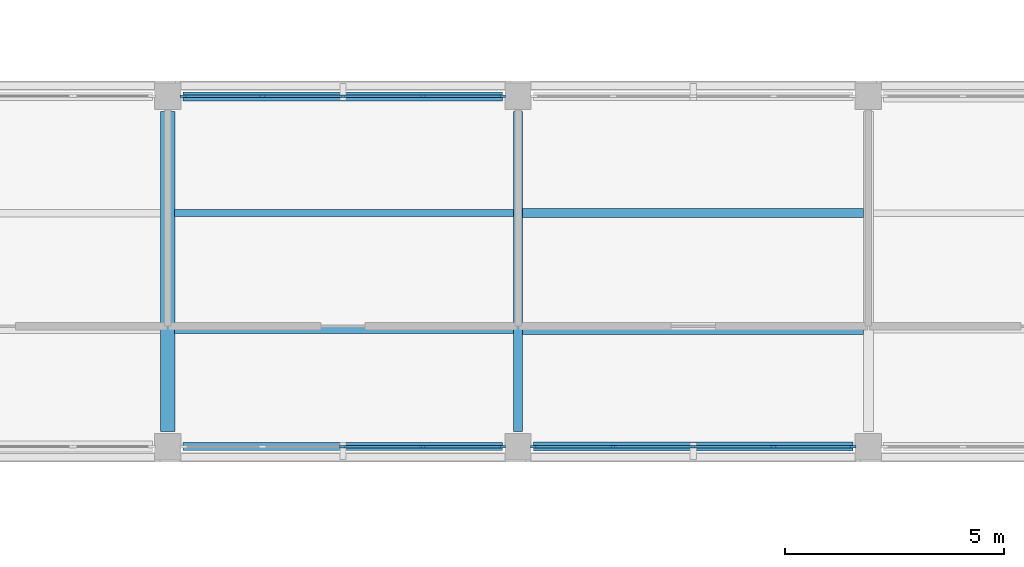
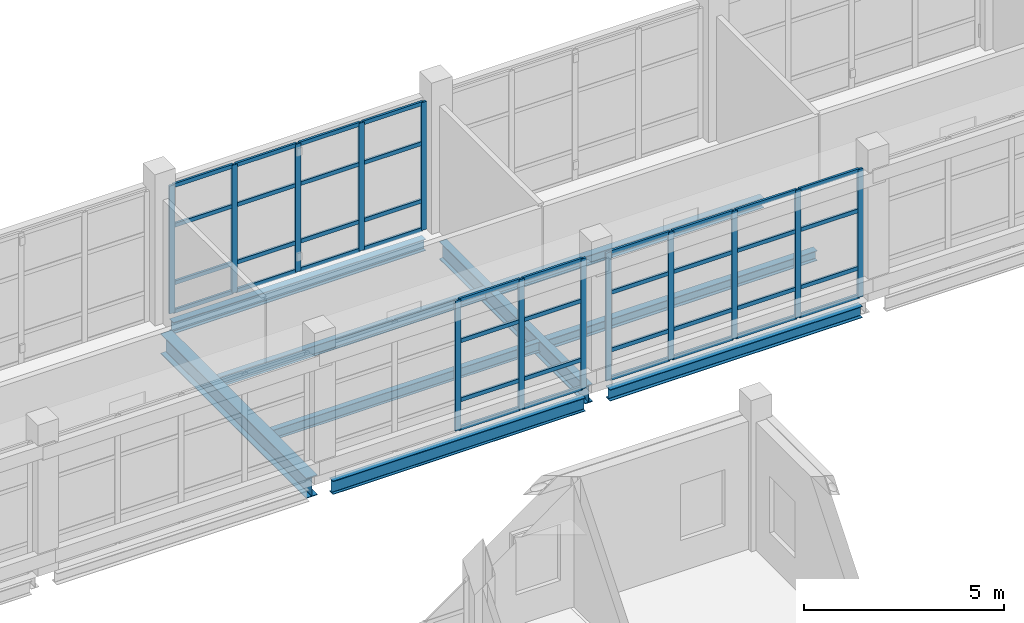
# One storey, part 19 of 121: 53 members, 9 beams, 3 elements without a shape of their own.
"""IFC4 building model written with IfcOpenShell, lengths in metres."""

from ifc_helpers import new_model, si_unit, derived_unit, direction, frame, origin, origin_2d, place, context, subcontext, project, spatial, rectangle, i_section, extrude, material, layer, layer_set, material_profile, profile_set, type_object, element, aggregate, save


model = new_model("IFC4")

# Units and contexts
model_context = context("Model", 3, precision=1e-05, world=origin(), true_north=direction((0.0, 1.0)))
body_context = subcontext(model_context, "Body", "Model", "MODEL_VIEW")
ifc_project = project(units=[si_unit("LENGTHUNIT", "METRE"), si_unit("AREAUNIT", "SQUARE_METRE"), si_unit("VOLUMEUNIT", "CUBIC_METRE"), si_unit("PLANEANGLEUNIT", "RADIAN"), si_unit("MASSUNIT", "GRAM", prefix="KILO"), derived_unit("THERMALTRANSMITTANCEUNIT", [(si_unit("MASSUNIT", "GRAM", prefix="KILO"), 1), (si_unit("TIMEUNIT", "SECOND"), -3), (si_unit("THERMODYNAMICTEMPERATUREUNIT", "KELVIN"), -1)])], contexts=[model_context])

# Site, building, storey
site_placement = place(None, origin())
site = spatial("IfcSite", under=ifc_project, at=site_placement, CompositionType="ELEMENT")
building_placement = place(site_placement, origin())
building = spatial("IfcBuilding", under=site, at=building_placement, Name="Veyamyaing Civic Hall", CompositionType="ELEMENT")
storey_placement = place(building_placement, frame((0.0, 0.0, 5.280029296875)))
storey = spatial("IfcBuildingStorey", under=building, at=storey_placement, Name="L01", CompositionType="ELEMENT", Elevation=5.280029296875)

# Beams
ifc_material_1 = material(Name="Steel ASTM A992", Category="steel")
ifc_material_profile_1 = material_profile(ifc_material_1, i_section(OverallWidth=0.179931640625, OverallDepth=0.4130859375, WebThickness=0.009765625, FlangeThickness=0.01611328125, FilletRadius=0.010009765625, at=origin_2d()), Name="W410X74")
ifc_profile_set_1 = profile_set([ifc_material_profile_1], Name="Steel ASTM A992")
beam_type_1 = type_object("IfcBeamType", Name="B-10", PredefinedType="SPANDREL", material=ifc_profile_set_1)
beam_1_placement = place(storey_placement, frame((32.35009765625, 48.0, -0.451416015625), z_axis=(1.0, 0.0, 0.0), x_axis=(0.0, 1.0, 0.0)))
element("IfcBeam", 1, at=beam_1_placement, inside=storey, type_object=beam_type_1, Name="Girder B-10 L01 Grid G 5-6", PredefinedType="SPANDREL", context=body_context, shape_type="SweptSolid", body=[
    extrude(i_section(OverallWidth=0.179931640625, OverallDepth=0.4130859375, WebThickness=0.009765625, FlangeThickness=0.01611328125, FilletRadius=0.010009765625, at=origin_2d()), origin(), (0.0, 0.0, 1.0), 7.2998046875),
])
ifc_material_profile_2 = material_profile(ifc_material_1, i_section(OverallWidth=0.2041015625, OverallDepth=0.35009765625, WebThickness=0.0078125, FlangeThickness=0.01513671875, FilletRadius=0.010009765625, at=origin_2d()), Name="W360X72")
ifc_profile_set_2 = profile_set([ifc_material_profile_2], Name="Steel ASTM A992")
beam_type_2 = type_object("IfcBeamType", Name="B-11", PredefinedType="SPANDREL", material=ifc_profile_set_2)
for number, where, z_axis, x_axis, name in (
    (2, (40.35009765625, 48.0, -0.419921875), (1.0, 0.0, 0.0), (0.0, 1.0, 0.0), "Girder B-11 L01 Grid G 6-7"),
    (3, (32.35009765625, 56.0, -0.419921875), (1.0, 0.0, 0.0), (0.0, 1.0, 0.0), "Girder B-11 L01 Grid H 5-6"),
):
    element("IfcBeam", number, at=place(storey_placement, frame(where, z_axis=z_axis, x_axis=x_axis)), inside=storey, type_object=beam_type_2, Name=name, PredefinedType="SPANDREL", context=body_context, shape_type="SweptSolid", body=[
        extrude(i_section(OverallWidth=0.2041015625, OverallDepth=0.35009765625, WebThickness=0.0078125, FlangeThickness=0.01513671875, FilletRadius=0.010009765625, at=origin_2d()), origin(), (0.0, 0.0, 1.0), 7.2998046875),
    ])
ifc_material_profile_3 = material_profile(ifc_material_1, i_section(OverallWidth=0.324951171875, OverallDepth=0.615966796875, WebThickness=0.013916015625, FlangeThickness=0.021484375, FilletRadius=0.013916015625, at=origin_2d()), Name="W610X174")
ifc_profile_set_3 = profile_set([ifc_material_profile_3], Name="Steel ASTM A992")
beam_type_3 = type_object("IfcBeamType", Name="B-15", PredefinedType="BEAM", material=ifc_profile_set_3)
beam_2_placement = place(storey_placement, frame((32.0, 48.35009765625, -0.552978515625), z_axis=(0.0, 1.0, 0.0), x_axis=(-1.0, 0.0, 0.0)))
element("IfcBeam", 4, at=beam_2_placement, inside=storey, type_object=beam_type_3, Name="Girder B-15 L01 Grid 5 G-H", PredefinedType="BEAM", context=body_context, shape_type="SweptSolid", body=[
    extrude(i_section(OverallWidth=0.324951171875, OverallDepth=0.615966796875, WebThickness=0.013916015625, FlangeThickness=0.021484375, FilletRadius=0.013916015625, at=origin_2d()), origin(), (0.0, 0.0, 1.0), 7.2998046875),
])
ifc_material_profile_4 = material_profile(ifc_material_1, i_section(OverallWidth=0.214111328125, OverallDepth=0.549072265625, WebThickness=0.0146484375, FlangeThickness=0.023681640625, FilletRadius=0.011962890625, at=origin_2d()), Name="W530X138")
ifc_profile_set_4 = profile_set([ifc_material_profile_4], Name="Steel ASTM A992")
beam_type_4 = type_object("IfcBeamType", Name="B-16", PredefinedType="BEAM", material=ifc_profile_set_4)
beam_3_placement = place(storey_placement, frame((40.0, 48.35009765625, -0.51953125), z_axis=(0.0, 1.0, 0.0), x_axis=(-1.0, 0.0, 0.0)))
element("IfcBeam", 5, at=beam_3_placement, inside=storey, type_object=beam_type_4, Name="Girder B-16 L01 Grid 6 G-H", PredefinedType="BEAM", context=body_context, shape_type="SweptSolid", body=[
    extrude(i_section(OverallWidth=0.214111328125, OverallDepth=0.549072265625, WebThickness=0.0146484375, FlangeThickness=0.023681640625, FilletRadius=0.011962890625, at=origin_2d()), origin(), (0.0, 0.0, 1.0), 7.2998046875),
])

# Curtain wall, members
ifc_material_2 = material(Name="Anodised aluminium 6063-T6", Category="aluminium")
ifc_layer = layer(ifc_material_2, 0.159912109375, Name="Anodised aluminium 6063-T6")
ifc_layer_set = layer_set([ifc_layer], Name="Anodised aluminium 6063-T6")
curtain_wall_type = type_object("IfcCurtainWallType", Name="CW-02", PredefinedType="NOTDEFINED", material=ifc_layer_set)
curtain_wall_1_placement = place(storey_placement, origin())
curtain_wall_1 = element("IfcCurtainWall", 6, at=curtain_wall_1_placement, inside=storey, type_object=curtain_wall_type, Name="Unitized curtain wall CW-02 L01 S 5.7", PredefinedType="NOTDEFINED")
ifc_material_profile_5 = material_profile(ifc_material_2, rectangle(XDim=0.06494140625, YDim=0.159912109375, at=origin_2d()), Name="ALU-MUL-65X160")
ifc_profile_set_5 = profile_set([ifc_material_profile_5], Name="Anodised aluminium 6063-T6")
member_type_1 = type_object("IfcMemberType", Name="CWM-01", PredefinedType="MULLION", material=ifc_profile_set_5)
member_1_placement = place(storey_placement, frame((36.0, 48.0, 0.0), z_axis=(0.0, 0.0, 1.0), x_axis=(0.0, 1.0, 0.0)))
member_1 = element("IfcMember", 7, at=member_1_placement, type_object=member_type_1, Name="CW-02 mullion 3", PredefinedType="MULLION", context=body_context, shape_type="SweptSolid", body=[
    extrude(rectangle(XDim=0.06494140625, YDim=0.159912109375, at=origin_2d()), origin(), (0.0, 0.0, 1.0), 3.97705078125),
])
member_2_placement = place(storey_placement, frame((37.8349609375, 48.0, 0.0), z_axis=(0.0, 0.0, 1.0), x_axis=(0.0, 1.0, 0.0)))
member_2 = element("IfcMember", 8, at=member_2_placement, type_object=member_type_1, Name="CW-02 mullion 4", PredefinedType="MULLION", context=body_context, shape_type="SweptSolid", body=[
    extrude(rectangle(XDim=0.06494140625, YDim=0.159912109375, at=origin_2d()), origin(), (0.0, 0.0, 1.0), 3.97705078125),
])
member_3_placement = place(storey_placement, frame((39.637451171875, 48.0, 0.0), z_axis=(0.0, 0.0, 1.0), x_axis=(0.0, 1.0, 0.0)))
member_3 = element("IfcMember", 9, at=member_3_placement, type_object=member_type_1, Name="CW-02 mullion 5", PredefinedType="MULLION", context=body_context, shape_type="SweptSolid", body=[
    extrude(rectangle(XDim=0.06494140625, YDim=0.159912109375, at=origin_2d()), origin(), (0.0, 0.0, 1.0), 3.97705078125),
])

curtain_wall_2_placement = place(storey_placement, origin())
curtain_wall_2 = element("IfcCurtainWall", 10, at=curtain_wall_2_placement, inside=storey, type_object=curtain_wall_type, Name="Unitized curtain wall CW-02 L01 N 5.7", PredefinedType="NOTDEFINED")
member_4_placement = place(storey_placement, frame((32.362548828125, 56.0, 0.0), z_axis=(0.0, 0.0, 1.0), x_axis=(0.0, 1.0, 0.0)))
member_4 = element("IfcMember", 11, at=member_4_placement, type_object=member_type_1, Name="CW-02 mullion 1", PredefinedType="MULLION", context=body_context, shape_type="SweptSolid", body=[
    extrude(rectangle(XDim=0.06494140625, YDim=0.159912109375, at=origin_2d()), origin(), (0.0, 0.0, 1.0), 3.909912109375),
])
member_5_placement = place(storey_placement, frame((34.1650390625, 56.0, 0.0), z_axis=(0.0, 0.0, 1.0), x_axis=(0.0, 1.0, 0.0)))
member_5 = element("IfcMember", 12, at=member_5_placement, type_object=member_type_1, Name="CW-02 mullion 2", PredefinedType="MULLION", context=body_context, shape_type="SweptSolid", body=[
    extrude(rectangle(XDim=0.06494140625, YDim=0.159912109375, at=origin_2d()), origin(), (0.0, 0.0, 1.0), 3.909912109375),
])
member_6_placement = place(storey_placement, frame((36.0, 56.0, 0.0), z_axis=(0.0, 0.0, 1.0), x_axis=(0.0, 1.0, 0.0)))
member_6 = element("IfcMember", 13, at=member_6_placement, type_object=member_type_1, Name="CW-02 mullion 3", PredefinedType="MULLION", context=body_context, shape_type="SweptSolid", body=[
    extrude(rectangle(XDim=0.06494140625, YDim=0.159912109375, at=origin_2d()), origin(), (0.0, 0.0, 1.0), 3.909912109375),
])
member_7_placement = place(storey_placement, frame((37.8349609375, 56.0, 0.0), z_axis=(0.0, 0.0, 1.0), x_axis=(0.0, 1.0, 0.0)))
member_7 = element("IfcMember", 14, at=member_7_placement, type_object=member_type_1, Name="CW-02 mullion 4", PredefinedType="MULLION", context=body_context, shape_type="SweptSolid", body=[
    extrude(rectangle(XDim=0.06494140625, YDim=0.159912109375, at=origin_2d()), origin(), (0.0, 0.0, 1.0), 3.909912109375),
])
member_8_placement = place(storey_placement, frame((39.637451171875, 56.0, 0.0), z_axis=(0.0, 0.0, 1.0), x_axis=(0.0, 1.0, 0.0)))
member_8 = element("IfcMember", 15, at=member_8_placement, type_object=member_type_1, Name="CW-02 mullion 5", PredefinedType="MULLION", context=body_context, shape_type="SweptSolid", body=[
    extrude(rectangle(XDim=0.06494140625, YDim=0.159912109375, at=origin_2d()), origin(), (0.0, 0.0, 1.0), 3.909912109375),
])

curtain_wall_3_placement = place(storey_placement, origin())
curtain_wall_3 = element("IfcCurtainWall", 16, at=curtain_wall_3_placement, inside=storey, type_object=curtain_wall_type, Name="Unitized curtain wall CW-02 L01 S 6.7", PredefinedType="NOTDEFINED")
member_9_placement = place(storey_placement, frame((40.362548828125, 48.0, 0.0), z_axis=(0.0, 0.0, 1.0), x_axis=(0.0, 1.0, 0.0)))
member_9 = element("IfcMember", 17, at=member_9_placement, type_object=member_type_1, Name="CW-02 mullion 1", PredefinedType="MULLION", context=body_context, shape_type="SweptSolid", body=[
    extrude(rectangle(XDim=0.06494140625, YDim=0.159912109375, at=origin_2d()), origin(), (0.0, 0.0, 1.0), 3.909912109375),
])
member_10_placement = place(storey_placement, frame((42.1650390625, 48.0, 0.0), z_axis=(0.0, 0.0, 1.0), x_axis=(0.0, 1.0, 0.0)))
member_10 = element("IfcMember", 18, at=member_10_placement, type_object=member_type_1, Name="CW-02 mullion 2", PredefinedType="MULLION", context=body_context, shape_type="SweptSolid", body=[
    extrude(rectangle(XDim=0.06494140625, YDim=0.159912109375, at=origin_2d()), origin(), (0.0, 0.0, 1.0), 3.909912109375),
])
member_11_placement = place(storey_placement, frame((44.0, 48.0, 0.0), z_axis=(0.0, 0.0, 1.0), x_axis=(0.0, 1.0, 0.0)))
member_11 = element("IfcMember", 19, at=member_11_placement, type_object=member_type_1, Name="CW-02 mullion 3", PredefinedType="MULLION", context=body_context, shape_type="SweptSolid", body=[
    extrude(rectangle(XDim=0.06494140625, YDim=0.159912109375, at=origin_2d()), origin(), (0.0, 0.0, 1.0), 3.909912109375),
])
member_12_placement = place(storey_placement, frame((45.8349609375, 48.0, 0.0), z_axis=(0.0, 0.0, 1.0), x_axis=(0.0, 1.0, 0.0)))
member_12 = element("IfcMember", 20, at=member_12_placement, type_object=member_type_1, Name="CW-02 mullion 4", PredefinedType="MULLION", context=body_context, shape_type="SweptSolid", body=[
    extrude(rectangle(XDim=0.06494140625, YDim=0.159912109375, at=origin_2d()), origin(), (0.0, 0.0, 1.0), 3.909912109375),
])
member_13_placement = place(storey_placement, frame((47.637451171875, 48.0, 0.0), z_axis=(0.0, 0.0, 1.0), x_axis=(0.0, 1.0, 0.0)))
member_13 = element("IfcMember", 21, at=member_13_placement, type_object=member_type_1, Name="CW-02 mullion 5", PredefinedType="MULLION", context=body_context, shape_type="SweptSolid", body=[
    extrude(rectangle(XDim=0.06494140625, YDim=0.159912109375, at=origin_2d()), origin(), (0.0, 0.0, 1.0), 3.909912109375),
])

# Member
ifc_material_profile_6 = material_profile(ifc_material_2, rectangle(XDim=0.06494140625, YDim=0.1201171875, at=origin_2d()), Name="ALU-TRN-65X120")
ifc_profile_set_6 = profile_set([ifc_material_profile_6], Name="Anodised aluminium 6063-T6")
member_type_2 = type_object("IfcMemberType", Name="CWT-01", PredefinedType="USERDEFINED", material=ifc_profile_set_6)
member_14_placement = place(storey_placement, frame((36.032470703125, 48.0, 0.032470703125), z_axis=(1.0, 0.0, 0.0), x_axis=(0.0, 1.0, 0.0)))
member_14 = element("IfcMember", 22, at=member_14_placement, type_object=member_type_2, Name="CW-02 transom 3.1", ObjectType="TRANSOM", PredefinedType="USERDEFINED", context=body_context, shape_type="SweptSolid", body=[
    extrude(rectangle(XDim=0.06494140625, YDim=0.1201171875, at=origin_2d()), origin(), (0.0, 0.0, 1.0), 1.77001953125),
])

member_15_placement = place(storey_placement, frame((36.032470703125, 48.0, 0.89990234375), z_axis=(1.0, 0.0, 0.0), x_axis=(0.0, 1.0, 0.0)))
member_15 = element("IfcMember", 23, at=member_15_placement, type_object=member_type_2, Name="CW-02 transom 3.2", ObjectType="TRANSOM", PredefinedType="USERDEFINED", context=body_context, shape_type="SweptSolid", body=[
    extrude(rectangle(XDim=0.06494140625, YDim=0.1201171875, at=origin_2d()), origin(), (0.0, 0.0, 1.0), 1.77001953125),
])

member_16_placement = place(storey_placement, frame((36.032470703125, 48.0, 2.704345703125), z_axis=(1.0, 0.0, 0.0), x_axis=(0.0, 1.0, 0.0)))
member_16 = element("IfcMember", 24, at=member_16_placement, type_object=member_type_2, Name="CW-02 transom 3.3", ObjectType="TRANSOM", PredefinedType="USERDEFINED", context=body_context, shape_type="SweptSolid", body=[
    extrude(rectangle(XDim=0.06494140625, YDim=0.1201171875, at=origin_2d()), origin(), (0.0, 0.0, 1.0), 1.77001953125),
])

member_17_placement = place(storey_placement, frame((36.032470703125, 48.0, 3.944580078125), z_axis=(1.0, 0.0, 0.0), x_axis=(0.0, 1.0, 0.0)))
member_17 = element("IfcMember", 25, at=member_17_placement, type_object=member_type_2, Name="CW-02 transom 3.4", ObjectType="TRANSOM", PredefinedType="USERDEFINED", context=body_context, shape_type="SweptSolid", body=[
    extrude(rectangle(XDim=0.06494140625, YDim=0.1201171875, at=origin_2d()), origin(), (0.0, 0.0, 1.0), 1.77001953125),
])

member_18_placement = place(storey_placement, frame((37.867431640625, 48.0, 0.032470703125), z_axis=(1.0, 0.0, 0.0), x_axis=(0.0, 1.0, 0.0)))
member_18 = element("IfcMember", 26, at=member_18_placement, type_object=member_type_2, Name="CW-02 transom 4.1", ObjectType="TRANSOM", PredefinedType="USERDEFINED", context=body_context, shape_type="SweptSolid", body=[
    extrude(rectangle(XDim=0.06494140625, YDim=0.1201171875, at=origin_2d()), origin(), (0.0, 0.0, 1.0), 1.737548828125),
])

member_19_placement = place(storey_placement, frame((37.867431640625, 48.0, 0.89990234375), z_axis=(1.0, 0.0, 0.0), x_axis=(0.0, 1.0, 0.0)))
member_19 = element("IfcMember", 27, at=member_19_placement, type_object=member_type_2, Name="CW-02 transom 4.2", ObjectType="TRANSOM", PredefinedType="USERDEFINED", context=body_context, shape_type="SweptSolid", body=[
    extrude(rectangle(XDim=0.06494140625, YDim=0.1201171875, at=origin_2d()), origin(), (0.0, 0.0, 1.0), 1.737548828125),
])

member_20_placement = place(storey_placement, frame((37.867431640625, 48.0, 2.704345703125), z_axis=(1.0, 0.0, 0.0), x_axis=(0.0, 1.0, 0.0)))
member_20 = element("IfcMember", 28, at=member_20_placement, type_object=member_type_2, Name="CW-02 transom 4.3", ObjectType="TRANSOM", PredefinedType="USERDEFINED", context=body_context, shape_type="SweptSolid", body=[
    extrude(rectangle(XDim=0.06494140625, YDim=0.1201171875, at=origin_2d()), origin(), (0.0, 0.0, 1.0), 1.737548828125),
])

member_21_placement = place(storey_placement, frame((37.867431640625, 48.0, 3.944580078125), z_axis=(1.0, 0.0, 0.0), x_axis=(0.0, 1.0, 0.0)))
member_21 = element("IfcMember", 29, at=member_21_placement, type_object=member_type_2, Name="CW-02 transom 4.4", ObjectType="TRANSOM", PredefinedType="USERDEFINED", context=body_context, shape_type="SweptSolid", body=[
    extrude(rectangle(XDim=0.06494140625, YDim=0.1201171875, at=origin_2d()), origin(), (0.0, 0.0, 1.0), 1.737548828125),
])

aggregate(curtain_wall_1, [member_1, member_2, member_3, member_14, member_15, member_16, member_17, member_18, member_19, member_20, member_21])

member_22_placement = place(storey_placement, frame((32.39501953125, 56.0, 0.032470703125), z_axis=(1.0, 0.0, 0.0), x_axis=(0.0, 1.0, 0.0)))
member_22 = element("IfcMember", 30, at=member_22_placement, type_object=member_type_2, Name="CW-02 transom 1.1", ObjectType="TRANSOM", PredefinedType="USERDEFINED", context=body_context, shape_type="SweptSolid", body=[
    extrude(rectangle(XDim=0.06494140625, YDim=0.1201171875, at=origin_2d()), origin(), (0.0, 0.0, 1.0), 1.737548828125),
])

member_23_placement = place(storey_placement, frame((32.39501953125, 56.0, 0.89990234375), z_axis=(1.0, 0.0, 0.0), x_axis=(0.0, 1.0, 0.0)))
member_23 = element("IfcMember", 31, at=member_23_placement, type_object=member_type_2, Name="CW-02 transom 1.2", ObjectType="TRANSOM", PredefinedType="USERDEFINED", context=body_context, shape_type="SweptSolid", body=[
    extrude(rectangle(XDim=0.06494140625, YDim=0.1201171875, at=origin_2d()), origin(), (0.0, 0.0, 1.0), 1.737548828125),
])

member_24_placement = place(storey_placement, frame((32.39501953125, 56.0, 2.65869140625), z_axis=(1.0, 0.0, 0.0), x_axis=(0.0, 1.0, 0.0)))
member_24 = element("IfcMember", 32, at=member_24_placement, type_object=member_type_2, Name="CW-02 transom 1.3", ObjectType="TRANSOM", PredefinedType="USERDEFINED", context=body_context, shape_type="SweptSolid", body=[
    extrude(rectangle(XDim=0.06494140625, YDim=0.1201171875, at=origin_2d()), origin(), (0.0, 0.0, 1.0), 1.737548828125),
])

member_25_placement = place(storey_placement, frame((32.39501953125, 56.0, 3.87744140625), z_axis=(1.0, 0.0, 0.0), x_axis=(0.0, 1.0, 0.0)))
member_25 = element("IfcMember", 33, at=member_25_placement, type_object=member_type_2, Name="CW-02 transom 1.4", ObjectType="TRANSOM", PredefinedType="USERDEFINED", context=body_context, shape_type="SweptSolid", body=[
    extrude(rectangle(XDim=0.06494140625, YDim=0.1201171875, at=origin_2d()), origin(), (0.0, 0.0, 1.0), 1.737548828125),
])

member_26_placement = place(storey_placement, frame((34.197509765625, 56.0, 0.032470703125), z_axis=(1.0, 0.0, 0.0), x_axis=(0.0, 1.0, 0.0)))
member_26 = element("IfcMember", 34, at=member_26_placement, type_object=member_type_2, Name="CW-02 transom 2.1", ObjectType="TRANSOM", PredefinedType="USERDEFINED", context=body_context, shape_type="SweptSolid", body=[
    extrude(rectangle(XDim=0.06494140625, YDim=0.1201171875, at=origin_2d()), origin(), (0.0, 0.0, 1.0), 1.77001953125),
])

member_27_placement = place(storey_placement, frame((34.197509765625, 56.0, 0.89990234375), z_axis=(1.0, 0.0, 0.0), x_axis=(0.0, 1.0, 0.0)))
member_27 = element("IfcMember", 35, at=member_27_placement, type_object=member_type_2, Name="CW-02 transom 2.2", ObjectType="TRANSOM", PredefinedType="USERDEFINED", context=body_context, shape_type="SweptSolid", body=[
    extrude(rectangle(XDim=0.06494140625, YDim=0.1201171875, at=origin_2d()), origin(), (0.0, 0.0, 1.0), 1.77001953125),
])

member_28_placement = place(storey_placement, frame((34.197509765625, 56.0, 2.65869140625), z_axis=(1.0, 0.0, 0.0), x_axis=(0.0, 1.0, 0.0)))
member_28 = element("IfcMember", 36, at=member_28_placement, type_object=member_type_2, Name="CW-02 transom 2.3", ObjectType="TRANSOM", PredefinedType="USERDEFINED", context=body_context, shape_type="SweptSolid", body=[
    extrude(rectangle(XDim=0.06494140625, YDim=0.1201171875, at=origin_2d()), origin(), (0.0, 0.0, 1.0), 1.77001953125),
])

member_29_placement = place(storey_placement, frame((34.197509765625, 56.0, 3.87744140625), z_axis=(1.0, 0.0, 0.0), x_axis=(0.0, 1.0, 0.0)))
member_29 = element("IfcMember", 37, at=member_29_placement, type_object=member_type_2, Name="CW-02 transom 2.4", ObjectType="TRANSOM", PredefinedType="USERDEFINED", context=body_context, shape_type="SweptSolid", body=[
    extrude(rectangle(XDim=0.06494140625, YDim=0.1201171875, at=origin_2d()), origin(), (0.0, 0.0, 1.0), 1.77001953125),
])

member_30_placement = place(storey_placement, frame((36.032470703125, 56.0, 0.032470703125), z_axis=(1.0, 0.0, 0.0), x_axis=(0.0, 1.0, 0.0)))
member_30 = element("IfcMember", 38, at=member_30_placement, type_object=member_type_2, Name="CW-02 transom 3.1", ObjectType="TRANSOM", PredefinedType="USERDEFINED", context=body_context, shape_type="SweptSolid", body=[
    extrude(rectangle(XDim=0.06494140625, YDim=0.1201171875, at=origin_2d()), origin(), (0.0, 0.0, 1.0), 1.77001953125),
])

member_31_placement = place(storey_placement, frame((36.032470703125, 56.0, 0.89990234375), z_axis=(1.0, 0.0, 0.0), x_axis=(0.0, 1.0, 0.0)))
member_31 = element("IfcMember", 39, at=member_31_placement, type_object=member_type_2, Name="CW-02 transom 3.2", ObjectType="TRANSOM", PredefinedType="USERDEFINED", context=body_context, shape_type="SweptSolid", body=[
    extrude(rectangle(XDim=0.06494140625, YDim=0.1201171875, at=origin_2d()), origin(), (0.0, 0.0, 1.0), 1.77001953125),
])

member_32_placement = place(storey_placement, frame((36.032470703125, 56.0, 2.65869140625), z_axis=(1.0, 0.0, 0.0), x_axis=(0.0, 1.0, 0.0)))
member_32 = element("IfcMember", 40, at=member_32_placement, type_object=member_type_2, Name="CW-02 transom 3.3", ObjectType="TRANSOM", PredefinedType="USERDEFINED", context=body_context, shape_type="SweptSolid", body=[
    extrude(rectangle(XDim=0.06494140625, YDim=0.1201171875, at=origin_2d()), origin(), (0.0, 0.0, 1.0), 1.77001953125),
])

member_33_placement = place(storey_placement, frame((36.032470703125, 56.0, 3.87744140625), z_axis=(1.0, 0.0, 0.0), x_axis=(0.0, 1.0, 0.0)))
member_33 = element("IfcMember", 41, at=member_33_placement, type_object=member_type_2, Name="CW-02 transom 3.4", ObjectType="TRANSOM", PredefinedType="USERDEFINED", context=body_context, shape_type="SweptSolid", body=[
    extrude(rectangle(XDim=0.06494140625, YDim=0.1201171875, at=origin_2d()), origin(), (0.0, 0.0, 1.0), 1.77001953125),
])

member_34_placement = place(storey_placement, frame((37.867431640625, 56.0, 0.032470703125), z_axis=(1.0, 0.0, 0.0), x_axis=(0.0, 1.0, 0.0)))
member_34 = element("IfcMember", 42, at=member_34_placement, type_object=member_type_2, Name="CW-02 transom 4.1", ObjectType="TRANSOM", PredefinedType="USERDEFINED", context=body_context, shape_type="SweptSolid", body=[
    extrude(rectangle(XDim=0.06494140625, YDim=0.1201171875, at=origin_2d()), origin(), (0.0, 0.0, 1.0), 1.737548828125),
])

member_35_placement = place(storey_placement, frame((37.867431640625, 56.0, 0.89990234375), z_axis=(1.0, 0.0, 0.0), x_axis=(0.0, 1.0, 0.0)))
member_35 = element("IfcMember", 43, at=member_35_placement, type_object=member_type_2, Name="CW-02 transom 4.2", ObjectType="TRANSOM", PredefinedType="USERDEFINED", context=body_context, shape_type="SweptSolid", body=[
    extrude(rectangle(XDim=0.06494140625, YDim=0.1201171875, at=origin_2d()), origin(), (0.0, 0.0, 1.0), 1.737548828125),
])

member_36_placement = place(storey_placement, frame((37.867431640625, 56.0, 2.65869140625), z_axis=(1.0, 0.0, 0.0), x_axis=(0.0, 1.0, 0.0)))
member_36 = element("IfcMember", 44, at=member_36_placement, type_object=member_type_2, Name="CW-02 transom 4.3", ObjectType="TRANSOM", PredefinedType="USERDEFINED", context=body_context, shape_type="SweptSolid", body=[
    extrude(rectangle(XDim=0.06494140625, YDim=0.1201171875, at=origin_2d()), origin(), (0.0, 0.0, 1.0), 1.737548828125),
])

member_37_placement = place(storey_placement, frame((37.867431640625, 56.0, 3.87744140625), z_axis=(1.0, 0.0, 0.0), x_axis=(0.0, 1.0, 0.0)))
member_37 = element("IfcMember", 45, at=member_37_placement, type_object=member_type_2, Name="CW-02 transom 4.4", ObjectType="TRANSOM", PredefinedType="USERDEFINED", context=body_context, shape_type="SweptSolid", body=[
    extrude(rectangle(XDim=0.06494140625, YDim=0.1201171875, at=origin_2d()), origin(), (0.0, 0.0, 1.0), 1.737548828125),
])

aggregate(curtain_wall_2, [member_4, member_5, member_6, member_7, member_8, member_22, member_23, member_24, member_25, member_26, member_27, member_28, member_29, member_30, member_31, member_32, member_33, member_34, member_35, member_36, member_37])

member_38_placement = place(storey_placement, frame((40.39501953125, 48.0, 0.032470703125), z_axis=(1.0, 0.0, 0.0), x_axis=(0.0, 1.0, 0.0)))
member_38 = element("IfcMember", 46, at=member_38_placement, type_object=member_type_2, Name="CW-02 transom 1.1", ObjectType="TRANSOM", PredefinedType="USERDEFINED", context=body_context, shape_type="SweptSolid", body=[
    extrude(rectangle(XDim=0.06494140625, YDim=0.1201171875, at=origin_2d()), origin(), (0.0, 0.0, 1.0), 1.737548828125),
])

member_39_placement = place(storey_placement, frame((40.39501953125, 48.0, 0.89990234375), z_axis=(1.0, 0.0, 0.0), x_axis=(0.0, 1.0, 0.0)))
member_39 = element("IfcMember", 47, at=member_39_placement, type_object=member_type_2, Name="CW-02 transom 1.2", ObjectType="TRANSOM", PredefinedType="USERDEFINED", context=body_context, shape_type="SweptSolid", body=[
    extrude(rectangle(XDim=0.06494140625, YDim=0.1201171875, at=origin_2d()), origin(), (0.0, 0.0, 1.0), 1.737548828125),
])

member_40_placement = place(storey_placement, frame((40.39501953125, 48.0, 2.65869140625), z_axis=(1.0, 0.0, 0.0), x_axis=(0.0, 1.0, 0.0)))
member_40 = element("IfcMember", 48, at=member_40_placement, type_object=member_type_2, Name="CW-02 transom 1.3", ObjectType="TRANSOM", PredefinedType="USERDEFINED", context=body_context, shape_type="SweptSolid", body=[
    extrude(rectangle(XDim=0.06494140625, YDim=0.1201171875, at=origin_2d()), origin(), (0.0, 0.0, 1.0), 1.737548828125),
])

member_41_placement = place(storey_placement, frame((40.39501953125, 48.0, 3.87744140625), z_axis=(1.0, 0.0, 0.0), x_axis=(0.0, 1.0, 0.0)))
member_41 = element("IfcMember", 49, at=member_41_placement, type_object=member_type_2, Name="CW-02 transom 1.4", ObjectType="TRANSOM", PredefinedType="USERDEFINED", context=body_context, shape_type="SweptSolid", body=[
    extrude(rectangle(XDim=0.06494140625, YDim=0.1201171875, at=origin_2d()), origin(), (0.0, 0.0, 1.0), 1.737548828125),
])

member_42_placement = place(storey_placement, frame((42.197509765625, 48.0, 0.032470703125), z_axis=(1.0, 0.0, 0.0), x_axis=(0.0, 1.0, 0.0)))
member_42 = element("IfcMember", 50, at=member_42_placement, type_object=member_type_2, Name="CW-02 transom 2.1", ObjectType="TRANSOM", PredefinedType="USERDEFINED", context=body_context, shape_type="SweptSolid", body=[
    extrude(rectangle(XDim=0.06494140625, YDim=0.1201171875, at=origin_2d()), origin(), (0.0, 0.0, 1.0), 1.77001953125),
])

member_43_placement = place(storey_placement, frame((42.197509765625, 48.0, 0.89990234375), z_axis=(1.0, 0.0, 0.0), x_axis=(0.0, 1.0, 0.0)))
member_43 = element("IfcMember", 51, at=member_43_placement, type_object=member_type_2, Name="CW-02 transom 2.2", ObjectType="TRANSOM", PredefinedType="USERDEFINED", context=body_context, shape_type="SweptSolid", body=[
    extrude(rectangle(XDim=0.06494140625, YDim=0.1201171875, at=origin_2d()), origin(), (0.0, 0.0, 1.0), 1.77001953125),
])

member_44_placement = place(storey_placement, frame((42.197509765625, 48.0, 2.65869140625), z_axis=(1.0, 0.0, 0.0), x_axis=(0.0, 1.0, 0.0)))
member_44 = element("IfcMember", 52, at=member_44_placement, type_object=member_type_2, Name="CW-02 transom 2.3", ObjectType="TRANSOM", PredefinedType="USERDEFINED", context=body_context, shape_type="SweptSolid", body=[
    extrude(rectangle(XDim=0.06494140625, YDim=0.1201171875, at=origin_2d()), origin(), (0.0, 0.0, 1.0), 1.77001953125),
])

member_45_placement = place(storey_placement, frame((42.197509765625, 48.0, 3.87744140625), z_axis=(1.0, 0.0, 0.0), x_axis=(0.0, 1.0, 0.0)))
member_45 = element("IfcMember", 53, at=member_45_placement, type_object=member_type_2, Name="CW-02 transom 2.4", ObjectType="TRANSOM", PredefinedType="USERDEFINED", context=body_context, shape_type="SweptSolid", body=[
    extrude(rectangle(XDim=0.06494140625, YDim=0.1201171875, at=origin_2d()), origin(), (0.0, 0.0, 1.0), 1.77001953125),
])

member_46_placement = place(storey_placement, frame((44.032470703125, 48.0, 0.032470703125), z_axis=(1.0, 0.0, 0.0), x_axis=(0.0, 1.0, 0.0)))
member_46 = element("IfcMember", 54, at=member_46_placement, type_object=member_type_2, Name="CW-02 transom 3.1", ObjectType="TRANSOM", PredefinedType="USERDEFINED", context=body_context, shape_type="SweptSolid", body=[
    extrude(rectangle(XDim=0.06494140625, YDim=0.1201171875, at=origin_2d()), origin(), (0.0, 0.0, 1.0), 1.77001953125),
])

member_47_placement = place(storey_placement, frame((44.032470703125, 48.0, 0.89990234375), z_axis=(1.0, 0.0, 0.0), x_axis=(0.0, 1.0, 0.0)))
member_47 = element("IfcMember", 55, at=member_47_placement, type_object=member_type_2, Name="CW-02 transom 3.2", ObjectType="TRANSOM", PredefinedType="USERDEFINED", context=body_context, shape_type="SweptSolid", body=[
    extrude(rectangle(XDim=0.06494140625, YDim=0.1201171875, at=origin_2d()), origin(), (0.0, 0.0, 1.0), 1.77001953125),
])

member_48_placement = place(storey_placement, frame((44.032470703125, 48.0, 2.65869140625), z_axis=(1.0, 0.0, 0.0), x_axis=(0.0, 1.0, 0.0)))
member_48 = element("IfcMember", 56, at=member_48_placement, type_object=member_type_2, Name="CW-02 transom 3.3", ObjectType="TRANSOM", PredefinedType="USERDEFINED", context=body_context, shape_type="SweptSolid", body=[
    extrude(rectangle(XDim=0.06494140625, YDim=0.1201171875, at=origin_2d()), origin(), (0.0, 0.0, 1.0), 1.77001953125),
])

member_49_placement = place(storey_placement, frame((44.032470703125, 48.0, 3.87744140625), z_axis=(1.0, 0.0, 0.0), x_axis=(0.0, 1.0, 0.0)))
member_49 = element("IfcMember", 57, at=member_49_placement, type_object=member_type_2, Name="CW-02 transom 3.4", ObjectType="TRANSOM", PredefinedType="USERDEFINED", context=body_context, shape_type="SweptSolid", body=[
    extrude(rectangle(XDim=0.06494140625, YDim=0.1201171875, at=origin_2d()), origin(), (0.0, 0.0, 1.0), 1.77001953125),
])

member_50_placement = place(storey_placement, frame((45.867431640625, 48.0, 0.032470703125), z_axis=(1.0, 0.0, 0.0), x_axis=(0.0, 1.0, 0.0)))
member_50 = element("IfcMember", 58, at=member_50_placement, type_object=member_type_2, Name="CW-02 transom 4.1", ObjectType="TRANSOM", PredefinedType="USERDEFINED", context=body_context, shape_type="SweptSolid", body=[
    extrude(rectangle(XDim=0.06494140625, YDim=0.1201171875, at=origin_2d()), origin(), (0.0, 0.0, 1.0), 1.737548828125),
])

member_51_placement = place(storey_placement, frame((45.867431640625, 48.0, 0.89990234375), z_axis=(1.0, 0.0, 0.0), x_axis=(0.0, 1.0, 0.0)))
member_51 = element("IfcMember", 59, at=member_51_placement, type_object=member_type_2, Name="CW-02 transom 4.2", ObjectType="TRANSOM", PredefinedType="USERDEFINED", context=body_context, shape_type="SweptSolid", body=[
    extrude(rectangle(XDim=0.06494140625, YDim=0.1201171875, at=origin_2d()), origin(), (0.0, 0.0, 1.0), 1.737548828125),
])

member_52_placement = place(storey_placement, frame((45.867431640625, 48.0, 2.65869140625), z_axis=(1.0, 0.0, 0.0), x_axis=(0.0, 1.0, 0.0)))
member_52 = element("IfcMember", 60, at=member_52_placement, type_object=member_type_2, Name="CW-02 transom 4.3", ObjectType="TRANSOM", PredefinedType="USERDEFINED", context=body_context, shape_type="SweptSolid", body=[
    extrude(rectangle(XDim=0.06494140625, YDim=0.1201171875, at=origin_2d()), origin(), (0.0, 0.0, 1.0), 1.737548828125),
])

member_53_placement = place(storey_placement, frame((45.867431640625, 48.0, 3.87744140625), z_axis=(1.0, 0.0, 0.0), x_axis=(0.0, 1.0, 0.0)))
member_53 = element("IfcMember", 61, at=member_53_placement, type_object=member_type_2, Name="CW-02 transom 4.4", ObjectType="TRANSOM", PredefinedType="USERDEFINED", context=body_context, shape_type="SweptSolid", body=[
    extrude(rectangle(XDim=0.06494140625, YDim=0.1201171875, at=origin_2d()), origin(), (0.0, 0.0, 1.0), 1.737548828125),
])

aggregate(curtain_wall_3, [member_9, member_10, member_11, member_12, member_13, member_38, member_39, member_40, member_41, member_42, member_43, member_44, member_45, member_46, member_47, member_48, member_49, member_50, member_51, member_52, member_53])

# Beams
ifc_material_profile_7 = material_profile(ifc_material_1, i_section(OverallWidth=0.1650390625, OverallDepth=0.31005859375, WebThickness=0.005859375, FlangeThickness=0.009765625, FilletRadius=0.010009765625, at=origin_2d()), Name="W310X39")
ifc_profile_set_7 = profile_set([ifc_material_profile_7], Name="Steel ASTM A992")
beam_type_5 = type_object("IfcBeamType", Name="J-05", PredefinedType="JOIST", material=ifc_profile_set_7)
for number, where, z_axis, x_axis, name in (
    (62, (32.160400390625, 50.666748046875, -0.400146484375), (1.0, 0.0, 0.0), (0.0, 1.0, 0.0), "Composite floor joist J-05 L01 5.7.1"),
    (63, (32.160400390625, 53.333251953125, -0.400146484375), (1.0, 0.0, 0.0), (0.0, 1.0, 0.0), "Composite floor joist J-05 L01 5.7.2"),
):
    element("IfcBeam", number, at=place(storey_placement, frame(where, z_axis=z_axis, x_axis=x_axis)), inside=storey, type_object=beam_type_5, Name=name, PredefinedType="JOIST", context=body_context, shape_type="SweptSolid", body=[
        extrude(i_section(OverallWidth=0.1650390625, OverallDepth=0.31005859375, WebThickness=0.005859375, FlangeThickness=0.009765625, FilletRadius=0.010009765625, at=origin_2d()), origin(), (0.0, 0.0, 1.0), 7.734619140625),
    ])
ifc_material_profile_8 = material_profile(ifc_material_1, i_section(OverallWidth=0.2041015625, OverallDepth=0.305908203125, WebThickness=0.008544921875, FlangeThickness=0.0146484375, FilletRadius=0.010009765625, at=origin_2d()), Name="W310X67")
ifc_profile_set_8 = profile_set([ifc_material_profile_8], Name="Steel ASTM A992")
beam_type_6 = type_object("IfcBeamType", Name="J-06", PredefinedType="JOIST", material=ifc_profile_set_8)
for number, where, z_axis, x_axis, name in (
    (64, (40.10498046875, 50.666748046875, -0.39794921875), (1.0, 0.0, 0.0), (0.0, 1.0, 0.0), "Composite floor joist J-06 L01 6.7.1"),
    (65, (40.10498046875, 53.333251953125, -0.39794921875), (1.0, 0.0, 0.0), (0.0, 1.0, 0.0), "Composite floor joist J-06 L01 6.7.2"),
):
    element("IfcBeam", number, at=place(storey_placement, frame(where, z_axis=z_axis, x_axis=x_axis)), inside=storey, type_object=beam_type_6, Name=name, PredefinedType="JOIST", context=body_context, shape_type="SweptSolid", body=[
        extrude(i_section(OverallWidth=0.2041015625, OverallDepth=0.305908203125, WebThickness=0.008544921875, FlangeThickness=0.0146484375, FilletRadius=0.010009765625, at=origin_2d()), origin(), (0.0, 0.0, 1.0), 7.781982421875),
    ])

save(model, "model.ifc")
